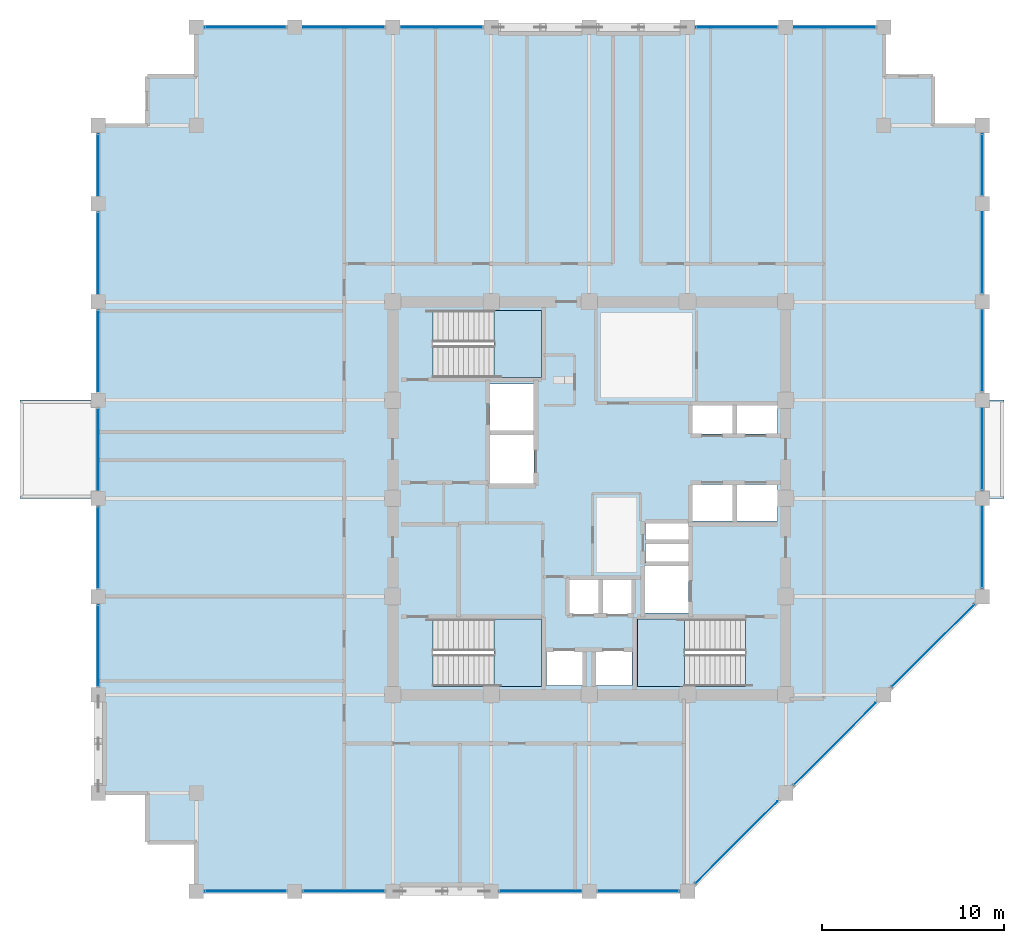
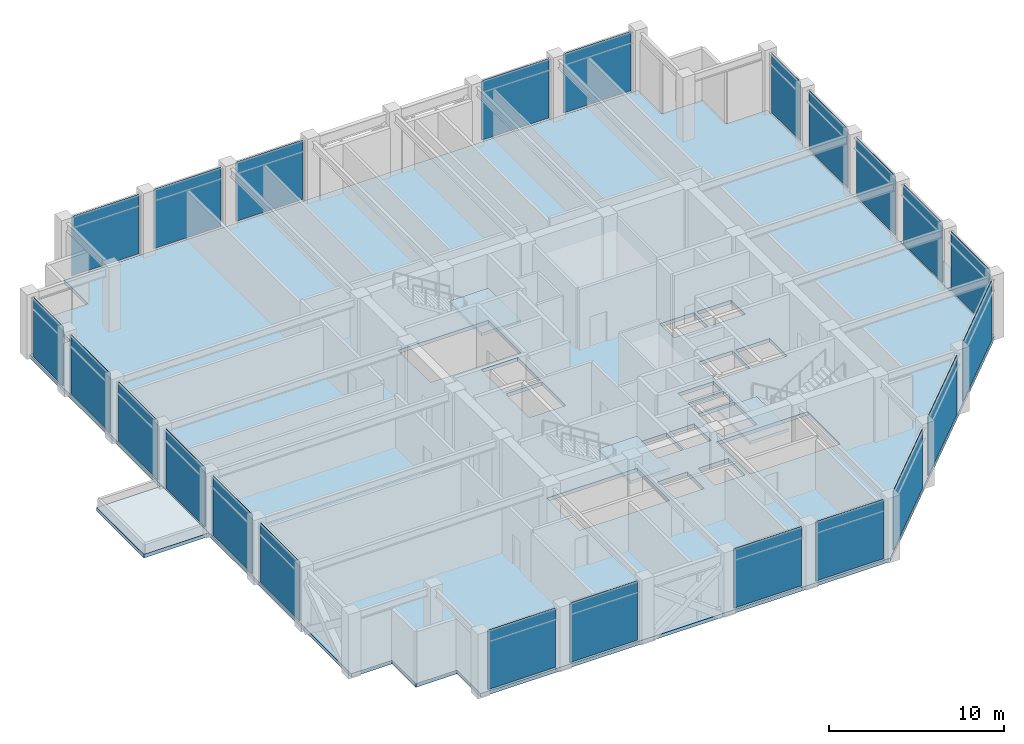
# One storey, part 22 of 28: 23 plates, 6 slabs, 10 elements without a shape of their own.
"""IFC4 building model written with IfcOpenShell, lengths in metres."""

import ifcopenshell
import ifcopenshell.guid

model = None  # the IFC model being written
_history = None  # IfcOwnerHistory: only IFC2X3 demands one
_inside = {}  # id of a spatial element -> (the spatial element, [elements in it])
_under = {}  # id of a project, library or spatial element -> (it, [spatial elements below it])
_declared = {}  # id of a project -> (the project, [libraries it declares])
_typed = {}  # id of a type object -> (the type object, [elements of that type])
_made_of = {}  # id of a material, layer set ... -> (it, [elements and type objects made of it])


def new_model(schema):
    """Start an empty IFC model of exactly this schema.

    Asked for "IFC4X3", IfcOpenShell would pick the latest addendum, in which some entities
    have other attributes; the version numbers below select the first issue.
    IFC2X3 requires an IfcOwnerHistory on every rooted entity: one is made here for all.
    """
    global model, _history
    if schema == "IFC4X3":
        model = ifcopenshell.file(schema_version=(4, 3, 0, 0))
    else:
        model = ifcopenshell.file(schema=schema)
    _inside.clear()
    _under.clear()
    _declared.clear()
    _typed.clear()
    _made_of.clear()
    _history = None
    if model.schema == "IFC2X3":
        org = make("IfcOrganization", Name="unknown")
        user = make(
            "IfcPersonAndOrganization",
            ThePerson=make("IfcPerson", FamilyName="unknown"),
            TheOrganization=org,
        )
        app = make(
            "IfcApplication",
            ApplicationDeveloper=org,
            Version="unknown",
            ApplicationFullName="unknown",
            ApplicationIdentifier="unknown",
        )
        _history = make(
            "IfcOwnerHistory",
            OwningUser=user,
            OwningApplication=app,
            ChangeAction="ADDED",
            CreationDate=0,
        )
    return model


def make(cls, **values):
    """One entity of the class cls with the attributes given. An attribute that is None is left unset."""
    return model.create_entity(
        cls, **{name: value for name, value in values.items() if value is not None}
    )


def rooted(cls, **values):
    """An entity with a GlobalId (a new one), such as an element, a storey or a relation."""
    return make(cls, GlobalId=ifcopenshell.guid.new(), OwnerHistory=_history, **values)


def si_unit(unit_type, name, prefix=None):
    """IfcSIUnit, for example si_unit("LENGTHUNIT", "METRE", prefix="MILLI")."""
    return make("IfcSIUnit", UnitType=unit_type, Prefix=prefix, Name=name)


def assignment(units):
    """IfcUnitAssignment: the units of a project."""
    return None if units is None else make("IfcUnitAssignment", Units=units)


def point(xyz):
    """IfcCartesianPoint."""
    return None if xyz is None else make("IfcCartesianPoint", Coordinates=xyz)


def direction(xyz):
    """IfcDirection."""
    return None if xyz is None else make("IfcDirection", DirectionRatios=xyz)


def frame(location, z_axis=None, x_axis=None):
    """IfcAxis2Placement3D, a coordinate frame: its origin and axes. An axis left out is left unset."""
    return make(
        "IfcAxis2Placement3D",
        Location=point(location),
        Axis=direction(z_axis),
        RefDirection=direction(x_axis),
    )


def frame_2d(location, x_axis=None):
    """IfcAxis2Placement2D, a coordinate frame in the plane: its origin and x axis."""
    return make(
        "IfcAxis2Placement2D", Location=point(location), RefDirection=direction(x_axis)
    )


def origin():
    """The frame at (0, 0, 0) with its axes left unset."""
    return frame((0.0, 0.0, 0.0))


def place(relative_to, where):
    """IfcLocalPlacement: puts the frame where relative to a parent placement (None: the world)."""
    return make(
        "IfcLocalPlacement", PlacementRelTo=relative_to, RelativePlacement=where
    )


def context(
    kind, dimensions, precision=None, world=None, true_north=None, identifier=None
):
    """IfcGeometricRepresentationContext, for example the 3D "Model" context."""
    return make(
        "IfcGeometricRepresentationContext",
        ContextIdentifier=identifier,
        ContextType=kind,
        CoordinateSpaceDimension=dimensions,
        Precision=precision,
        WorldCoordinateSystem=world,
        TrueNorth=true_north,
    )


def subcontext(parent, identifier, kind, view, scale=None):
    """IfcGeometricRepresentationSubContext, for example "Body" below "Model"."""
    return make(
        "IfcGeometricRepresentationSubContext",
        ContextIdentifier=identifier,
        ContextType=kind,
        ParentContext=parent,
        TargetScale=scale,
        TargetView=view,
    )


def project(units=None, contexts=None):
    """IfcProject with its units and contexts."""
    return rooted(
        "IfcProject",
        Name="project",
        RepresentationContexts=contexts,
        UnitsInContext=assignment(units),
    )


def spatial(cls, under=None, at=None, **own):
    """A site, building, storey or space (cls), placed at a placement, below another one or the project."""
    s = rooted(cls, ObjectPlacement=at, **own)
    if under is not None:
        _under.setdefault(under.id(), (under, []))[1].append(s)
    return s


def polyline(points):
    """IfcPolyline through the points."""
    return make("IfcPolyline", Points=[point(p) for p in points])


def profile(cls, at=None, kind="AREA", **sizes):
    """A parametric profile (cls). Its sizes go by their IFC names, for example OverallWidth=200.0."""
    return make(cls, ProfileType=kind, Position=at, **sizes)


def rectangle(**sizes):
    """IfcRectangleProfileDef."""
    return profile("IfcRectangleProfileDef", **sizes)


def outline(outer, holes=None, kind="AREA"):
    """IfcArbitraryClosedProfileDef: a profile drawn as a closed curve; with holes, ...WithVoids."""
    if holes is None:
        return make("IfcArbitraryClosedProfileDef", ProfileType=kind, OuterCurve=outer)
    return make(
        "IfcArbitraryProfileDefWithVoids",
        ProfileType=kind,
        OuterCurve=outer,
        InnerCurves=holes,
    )


def extrude(swept, where, along, depth):
    """IfcExtrudedAreaSolid: the profile swept, set in the frame where, extruded along a direction by depth."""
    return make(
        "IfcExtrudedAreaSolid",
        SweptArea=swept,
        Position=where,
        ExtrudedDirection=direction(along),
        Depth=depth,
    )


def shape(context_of_items, identifier, shape_type, items):
    """IfcShapeRepresentation: the items that make up one representation, for example the "Body"."""
    return make(
        "IfcShapeRepresentation",
        ContextOfItems=context_of_items,
        RepresentationIdentifier=identifier,
        RepresentationType=shape_type,
        Items=items,
    )


def material(Name=None, Category=None):
    """IfcMaterial."""
    return make("IfcMaterial", Name=Name, Category=Category)


def layer(
    of_material, thickness, ventilated=None, Name=None, Category=None, Priority=None
):
    """IfcMaterialLayer: one layer of a wall or slab, of a material (None: an air gap)."""
    return make(
        "IfcMaterialLayer",
        Material=of_material,
        LayerThickness=thickness,
        IsVentilated=ventilated,
        Name=Name,
        Category=Category,
        Priority=Priority,
    )


def layer_set(layers, Name=None):
    """IfcMaterialLayerSet."""
    return make("IfcMaterialLayerSet", MaterialLayers=layers, LayerSetName=Name)


def made_of(thing, what):
    """Note that an element or type object is made of a material, layer set ...; save() writes the relation."""
    if what is not None:
        _made_of.setdefault(what.id(), (what, []))[1].append(thing)
    return thing


def type_object(cls, material=None, **own):
    """A type object (cls), such as IfcWallType, which elements share."""
    return made_of(rooted(cls, **own), material)


def element(
    cls,
    number,
    at=None,
    inside=None,
    cuts=None,
    type_object=None,
    material=None,
    context=None,
    identifier="Body",
    shape_type=None,
    held_by="IfcProductDefinitionShape",
    body=None,
    shapes=None,
    **own,
):
    """One element of the class cls, such as IfcWall. Its Tag is "e" and its number.

    at: its placement. inside: the storey or other place that contains it. cuts: it is an
    opening in that element (IfcRelVoidsElement). A single representation is given by context,
    identifier, shape_type and body (its items); several are given by shapes. held_by: the class
    of the entity that holds the representations. save() writes the other relations.
    """
    e = rooted(cls, Tag="e%d" % number, ObjectPlacement=at, **own)
    if body is not None:
        shapes = [shape(context, identifier, shape_type, body)]
    if shapes is not None:
        e.Representation = make(held_by, Representations=shapes)
    if inside is not None:
        _inside.setdefault(inside.id(), (inside, []))[1].append(e)
    if cuts is not None:
        rooted(
            "IfcRelVoidsElement", RelatingBuildingElement=cuts, RelatedOpeningElement=e
        )
    if type_object is not None:
        _typed.setdefault(type_object.id(), (type_object, []))[1].append(e)
    return made_of(e, material)


def aggregate(whole, parts):
    """IfcRelAggregates: a whole, such as a stair, and the parts it consists of."""
    return rooted("IfcRelAggregates", RelatingObject=whole, RelatedObjects=parts)


def save(model, path):
    """Write the relations noted so far, then the file.

    IfcRelAggregates (storeys below a building ...), IfcRelContainedInSpatialStructure (elements
    in a storey), IfcRelDefinesByType, IfcRelAssociatesMaterial and IfcRelDeclares: one each for
    every whole, place, type object, material and project.
    """
    for whole, parts in _under.values():
        aggregate(whole, parts)
    for where, things in _inside.values():
        rooted(
            "IfcRelContainedInSpatialStructure",
            RelatedElements=things,
            RelatingStructure=where,
        )
    for kind, things in _typed.values():
        rooted("IfcRelDefinesByType", RelatedObjects=things, RelatingType=kind)
    for what, things in _made_of.values():
        rooted("IfcRelAssociatesMaterial", RelatedObjects=things, RelatingMaterial=what)
    for by, libraries in _declared.values():
        rooted("IfcRelDeclares", RelatingContext=by, RelatedDefinitions=libraries)
    model.write(path)


model = new_model("IFC4")

# Units and contexts
model_context = context("Model", 3, precision=1e-05, world=origin(), true_north=direction((0.0, 1.0)))
body_context = subcontext(model_context, "Body", "Model", "MODEL_VIEW")
ifc_project = project(units=[si_unit("LENGTHUNIT", "METRE"), si_unit("AREAUNIT", "SQUARE_METRE"), si_unit("VOLUMEUNIT", "CUBIC_METRE"), si_unit("PLANEANGLEUNIT", "RADIAN"), si_unit("MASSUNIT", "GRAM", prefix="KILO")], contexts=[model_context])

# Site, building, storey
site_placement = place(None, origin())
site = spatial("IfcSite", under=ifc_project, at=site_placement, CompositionType="ELEMENT")
building_placement = place(site_placement, origin())
building = spatial("IfcBuilding", under=site, at=building_placement, Name="Surkhivell Harbour Commons", CompositionType="ELEMENT")
storey_placement = place(building_placement, frame((0.0, 0.0, 249.75)))
storey = spatial("IfcBuildingStorey", under=building, at=storey_placement, Name="L65", CompositionType="ELEMENT", Elevation=249.75)

# Curtain wall, plates
ifc_material_1 = material(Name="Anodised pale-metal aluminium and insulated glazing", Category="aluminium")
ifc_layer_1 = layer(ifc_material_1, 0.18994140625)
ifc_layer_set_1 = layer_set([ifc_layer_1], Name="Anodised pale-metal aluminium and insulated glazing")
curtain_wall_type = type_object("IfcCurtainWallType", Name="CW-SYS-Z3", PredefinedType="NOTDEFINED", material=ifc_layer_set_1)
curtain_wall_1_placement = place(storey_placement, origin())
curtain_wall_1 = element("IfcCurtainWall", 1, at=curtain_wall_1_placement, inside=storey, type_object=curtain_wall_type, Name="L65 Curtain Wall CW-L65-E00S1", PredefinedType="NOTDEFINED")
ifc_material_2 = material(Name="High-pressure typhoon laminated vision glass", Category="glass")
ifc_layer_2 = layer(ifc_material_2, 0.035888671875)
ifc_layer_set_2 = layer_set([ifc_layer_2], Name="High-pressure typhoon laminated vision glass")
plate_type = type_object("IfcPlateType", Name="CWP-GLZ-36", PredefinedType="CURTAIN_PANEL", material=ifc_layer_set_2)
plate_1_placement = place(storey_placement, frame((-21.123046875, -21.60009765625, 0.1298828125), z_axis=(0.0, 0.0, 1.0), x_axis=(1.0, 0.0, 0.0)))
plate_1 = element("IfcPlate", 2, at=plate_1_placement, type_object=plate_type, Name="CW-Z3 panel 1.1", PredefinedType="CURTAIN_PANEL", context=body_context, shape_type="SweptSolid", body=[
    extrude(rectangle(XDim=4.446044921875, YDim=0.035888671875, at=frame_2d((2.22314453125, 0.0))), origin(), (0.0, 0.0, 1.0), 4.1201171875),
])
plate_2_placement = place(storey_placement, frame((-15.722900390625, -21.60009765625, 0.1298828125), z_axis=(0.0, 0.0, 1.0), x_axis=(1.0, 0.0, 0.0)))
plate_2 = element("IfcPlate", 3, at=plate_2_placement, type_object=plate_type, Name="CW-Z3 panel 2.1", PredefinedType="CURTAIN_PANEL", context=body_context, shape_type="SweptSolid", body=[
    extrude(rectangle(XDim=4.44580078125, YDim=0.035888671875, at=frame_2d((2.222900390625, 0.0))), origin(), (0.0, 0.0, 1.0), 4.1201171875),
])
aggregate(curtain_wall_1, [plate_1, plate_2])

curtain_wall_2_placement = place(storey_placement, origin())
curtain_wall_2 = element("IfcCurtainWall", 4, at=curtain_wall_2_placement, inside=storey, type_object=curtain_wall_type, Name="L65 Curtain Wall CW-L65-E00S2", PredefinedType="NOTDEFINED")
plate_3_placement = place(storey_placement, frame((-4.923095703125, -21.60009765625, 0.1298828125), z_axis=(0.0, 0.0, 1.0), x_axis=(1.0, 0.0, 0.0)))
plate_3 = element("IfcPlate", 5, at=plate_3_placement, type_object=plate_type, Name="CW-Z3 panel 1.1", PredefinedType="CURTAIN_PANEL", context=body_context, shape_type="SweptSolid", body=[
    extrude(rectangle(XDim=4.446044921875, YDim=0.035888671875, at=frame_2d((2.22314453125, 0.0))), origin(), (0.0, 0.0, 1.0), 4.1201171875),
])
plate_4_placement = place(storey_placement, frame((0.47705078125, -21.60009765625, 0.1298828125), z_axis=(0.0, 0.0, 1.0), x_axis=(1.0, 0.0, 0.0)))
plate_4 = element("IfcPlate", 6, at=plate_4_placement, type_object=plate_type, Name="CW-Z3 panel 2.1", PredefinedType="CURTAIN_PANEL", context=body_context, shape_type="SweptSolid", body=[
    extrude(rectangle(XDim=4.446044921875, YDim=0.035888671875, at=frame_2d((2.22314453125, 0.0))), origin(), (0.0, 0.0, 1.0), 4.1201171875),
])
aggregate(curtain_wall_2, [plate_3, plate_4])

curtain_wall_3_placement = place(storey_placement, origin())
curtain_wall_3 = element("IfcCurtainWall", 7, at=curtain_wall_3_placement, inside=storey, type_object=curtain_wall_type, Name="L65 Curtain Wall CW-L65-E01", PredefinedType="NOTDEFINED")
plate_5_placement = place(storey_placement, frame((5.854736328125, -21.145263671875, 0.1298828125), z_axis=(0.0, 0.0, 1.0), x_axis=(0.707106781187, 0.707106781187, 0.0)))
plate_5 = element("IfcPlate", 8, at=plate_5_placement, type_object=plate_type, Name="CW-Z3 panel 1.1", PredefinedType="CURTAIN_PANEL", context=body_context, shape_type="SweptSolid", body=[
    extrude(rectangle(XDim=6.3505859375, YDim=0.035888671875, at=frame_2d((3.17529296875, 0.0))), origin(), (0.0, 0.0, 1.0), 4.1201171875),
])
plate_6_placement = place(storey_placement, frame((11.254638671875, -15.745361328125, 0.1298828125), z_axis=(0.0, 0.0, 1.0), x_axis=(0.707106781187, 0.707106781187, 0.0)))
plate_6 = element("IfcPlate", 9, at=plate_6_placement, type_object=plate_type, Name="CW-Z3 panel 2.1", PredefinedType="CURTAIN_PANEL", context=body_context, shape_type="SweptSolid", body=[
    extrude(rectangle(XDim=6.350830078125, YDim=0.035888671875, at=frame_2d((3.17529296875, 0.0))), origin(), (0.0, 0.0, 1.0), 4.1201171875),
])
plate_7_placement = place(storey_placement, frame((16.65478515625, -10.34521484375, 0.1298828125), z_axis=(0.0, 0.0, 1.0), x_axis=(0.707106781187, 0.707106781187, 0.0)))
plate_7 = element("IfcPlate", 10, at=plate_7_placement, type_object=plate_type, Name="CW-Z3 panel 3.1", PredefinedType="CURTAIN_PANEL", context=body_context, shape_type="SweptSolid", body=[
    extrude(rectangle(XDim=6.3505859375, YDim=0.035888671875, at=frame_2d((3.17529296875, 0.0))), origin(), (0.0, 0.0, 1.0), 4.1201171875),
])
aggregate(curtain_wall_3, [plate_5, plate_6, plate_7])

curtain_wall_4_placement = place(storey_placement, origin())
curtain_wall_4 = element("IfcCurtainWall", 11, at=curtain_wall_4_placement, inside=storey, type_object=curtain_wall_type, Name="L65 Curtain Wall CW-L65-E02", PredefinedType="NOTDEFINED")
plate_8_placement = place(storey_placement, frame((21.60009765625, -4.923095703125, 0.1298828125), z_axis=(0.0, 0.0, 1.0), x_axis=(0.0, 1.0, 0.0)))
plate_8 = element("IfcPlate", 12, at=plate_8_placement, type_object=plate_type, Name="CW-Z3 panel 1.1", PredefinedType="CURTAIN_PANEL", context=body_context, shape_type="SweptSolid", body=[
    extrude(rectangle(XDim=4.446044921875, YDim=0.035888671875, at=frame_2d((2.22314453125, 0.0))), origin(), (0.0, 0.0, 1.0), 4.1201171875),
])
plate_9_placement = place(storey_placement, frame((21.60009765625, 0.47705078125, 0.1298828125), z_axis=(0.0, 0.0, 1.0), x_axis=(0.0, 1.0, 0.0)))
plate_9 = element("IfcPlate", 13, at=plate_9_placement, type_object=plate_type, Name="CW-Z3 panel 2.1", PredefinedType="CURTAIN_PANEL", context=body_context, shape_type="SweptSolid", body=[
    extrude(rectangle(XDim=4.446044921875, YDim=0.035888671875, at=frame_2d((2.22314453125, 0.0))), origin(), (0.0, 0.0, 1.0), 4.1201171875),
])
plate_10_placement = place(storey_placement, frame((21.60009765625, 5.876953125, 0.1298828125), z_axis=(0.0, 0.0, 1.0), x_axis=(0.0, 1.0, 0.0)))
plate_10 = element("IfcPlate", 14, at=plate_10_placement, type_object=plate_type, Name="CW-Z3 panel 3.1", PredefinedType="CURTAIN_PANEL", context=body_context, shape_type="SweptSolid", body=[
    extrude(rectangle(XDim=4.446044921875, YDim=0.035888671875, at=frame_2d((2.22314453125, 0.0))), origin(), (0.0, 0.0, 1.0), 4.1201171875),
])
plate_11_placement = place(storey_placement, frame((21.60009765625, 11.277099609375, 0.1298828125), z_axis=(0.0, 0.0, 1.0), x_axis=(0.0, 1.0, 0.0)))
plate_11 = element("IfcPlate", 15, at=plate_11_placement, type_object=plate_type, Name="CW-Z3 panel 4.1", PredefinedType="CURTAIN_PANEL", context=body_context, shape_type="SweptSolid", body=[
    extrude(rectangle(XDim=4.44580078125, YDim=0.035888671875, at=frame_2d((2.222900390625, 0.0))), origin(), (0.0, 0.0, 1.0), 4.1201171875),
])
plate_12_placement = place(storey_placement, frame((21.60009765625, 16.677001953125, 0.1298828125), z_axis=(0.0, 0.0, 1.0), x_axis=(0.0, 1.0, 0.0)))
plate_12 = element("IfcPlate", 16, at=plate_12_placement, type_object=plate_type, Name="CW-Z3 panel 5.1", PredefinedType="CURTAIN_PANEL", context=body_context, shape_type="SweptSolid", body=[
    extrude(rectangle(XDim=3.345947265625, YDim=0.035888671875, at=frame_2d((1.6728515625, 0.0))), origin(), (0.0, 0.0, 1.0), 4.1201171875),
])
aggregate(curtain_wall_4, [plate_8, plate_9, plate_10, plate_11, plate_12])

curtain_wall_5_placement = place(storey_placement, origin())
curtain_wall_5 = element("IfcCurtainWall", 17, at=curtain_wall_5_placement, inside=storey, type_object=curtain_wall_type, Name="L65 Curtain Wall CW-L65-E07S1", PredefinedType="NOTDEFINED")
plate_13_placement = place(storey_placement, frame((15.722900390625, 25.89990234375, 0.1298828125), z_axis=(0.0, 0.0, 1.0), x_axis=(-1.0, 0.0, 0.0)))
plate_13 = element("IfcPlate", 18, at=plate_13_placement, type_object=plate_type, Name="CW-Z3 panel 1.1", PredefinedType="CURTAIN_PANEL", context=body_context, shape_type="SweptSolid", body=[
    extrude(rectangle(XDim=4.44580078125, YDim=0.035888671875, at=frame_2d((2.222900390625, 0.0))), origin(), (0.0, 0.0, 1.0), 4.1201171875),
])
plate_14_placement = place(storey_placement, frame((10.322998046875, 25.89990234375, 0.1298828125), z_axis=(0.0, 0.0, 1.0), x_axis=(-1.0, 0.0, 0.0)))
plate_14 = element("IfcPlate", 19, at=plate_14_placement, type_object=plate_type, Name="CW-Z3 panel 2.1", PredefinedType="CURTAIN_PANEL", context=body_context, shape_type="SweptSolid", body=[
    extrude(rectangle(XDim=4.446044921875, YDim=0.035888671875, at=frame_2d((2.22314453125, 0.0))), origin(), (0.0, 0.0, 1.0), 4.1201171875),
])
aggregate(curtain_wall_5, [plate_13, plate_14])

curtain_wall_6_placement = place(storey_placement, origin())
curtain_wall_6 = element("IfcCurtainWall", 20, at=curtain_wall_6_placement, inside=storey, type_object=curtain_wall_type, Name="L65 Curtain Wall CW-L65-E07S2", PredefinedType="NOTDEFINED")
plate_15_placement = place(storey_placement, frame((-5.876953125, 25.89990234375, 0.1298828125), z_axis=(0.0, 0.0, 1.0), x_axis=(-1.0, 0.0, 0.0)))
plate_15 = element("IfcPlate", 21, at=plate_15_placement, type_object=plate_type, Name="CW-Z3 panel 1.1", PredefinedType="CURTAIN_PANEL", context=body_context, shape_type="SweptSolid", body=[
    extrude(rectangle(XDim=4.446044921875, YDim=0.035888671875, at=frame_2d((2.22314453125, 0.0))), origin(), (0.0, 0.0, 1.0), 4.1201171875),
])
plate_16_placement = place(storey_placement, frame((-11.277099609375, 25.89990234375, 0.1298828125), z_axis=(0.0, 0.0, 1.0), x_axis=(-1.0, 0.0, 0.0)))
plate_16 = element("IfcPlate", 22, at=plate_16_placement, type_object=plate_type, Name="CW-Z3 panel 2.1", PredefinedType="CURTAIN_PANEL", context=body_context, shape_type="SweptSolid", body=[
    extrude(rectangle(XDim=4.44580078125, YDim=0.035888671875, at=frame_2d((2.222900390625, 0.0))), origin(), (0.0, 0.0, 1.0), 4.1201171875),
])
plate_17_placement = place(storey_placement, frame((-16.677001953125, 25.89990234375, 0.1298828125), z_axis=(0.0, 0.0, 1.0), x_axis=(-1.0, 0.0, 0.0)))
plate_17 = element("IfcPlate", 23, at=plate_17_placement, type_object=plate_type, Name="CW-Z3 panel 3.1", PredefinedType="CURTAIN_PANEL", context=body_context, shape_type="SweptSolid", body=[
    extrude(rectangle(XDim=4.446044921875, YDim=0.035888671875, at=frame_2d((2.22314453125, 0.0))), origin(), (0.0, 0.0, 1.0), 4.1201171875),
])
aggregate(curtain_wall_6, [plate_15, plate_16, plate_17])

curtain_wall_7_placement = place(storey_placement, origin())
curtain_wall_7 = element("IfcCurtainWall", 24, at=curtain_wall_7_placement, inside=storey, type_object=curtain_wall_type, Name="L65 Curtain Wall CW-L65-E12S1", PredefinedType="NOTDEFINED")
plate_18_placement = place(storey_placement, frame((-27.0, 20.02294921875, 0.1298828125), z_axis=(0.0, 0.0, 1.0), x_axis=(0.0, -1.0, 0.0)))
plate_18 = element("IfcPlate", 25, at=plate_18_placement, type_object=plate_type, Name="CW-Z3 panel 1.1", PredefinedType="CURTAIN_PANEL", context=body_context, shape_type="SweptSolid", body=[
    extrude(rectangle(XDim=3.345947265625, YDim=0.035888671875, at=frame_2d((1.6728515625, 0.0))), origin(), (0.0, 0.0, 1.0), 4.1201171875),
])
plate_19_placement = place(storey_placement, frame((-27.0, 15.722900390625, 0.1298828125), z_axis=(0.0, 0.0, 1.0), x_axis=(0.0, -1.0, 0.0)))
plate_19 = element("IfcPlate", 26, at=plate_19_placement, type_object=plate_type, Name="CW-Z3 panel 2.1", PredefinedType="CURTAIN_PANEL", context=body_context, shape_type="SweptSolid", body=[
    extrude(rectangle(XDim=4.44580078125, YDim=0.035888671875, at=frame_2d((2.222900390625, 0.0))), origin(), (0.0, 0.0, 1.0), 4.1201171875),
])
plate_20_placement = place(storey_placement, frame((-27.0, 10.322998046875, 0.1298828125), z_axis=(0.0, 0.0, 1.0), x_axis=(0.0, -1.0, 0.0)))
plate_20 = element("IfcPlate", 27, at=plate_20_placement, type_object=plate_type, Name="CW-Z3 panel 3.1", PredefinedType="CURTAIN_PANEL", context=body_context, shape_type="SweptSolid", body=[
    extrude(rectangle(XDim=4.446044921875, YDim=0.035888671875, at=frame_2d((2.22314453125, 0.0))), origin(), (0.0, 0.0, 1.0), 4.1201171875),
])
plate_21_placement = place(storey_placement, frame((-27.0, 4.923095703125, 0.1298828125), z_axis=(0.0, 0.0, 1.0), x_axis=(0.0, -1.0, 0.0)))
plate_21 = element("IfcPlate", 28, at=plate_21_placement, type_object=plate_type, Name="CW-Z3 panel 4.1", PredefinedType="CURTAIN_PANEL", context=body_context, shape_type="SweptSolid", body=[
    extrude(rectangle(XDim=4.446044921875, YDim=0.035888671875, at=frame_2d((2.22314453125, 0.0))), origin(), (0.0, 0.0, 1.0), 4.1201171875),
])
plate_22_placement = place(storey_placement, frame((-27.0, -0.47705078125, 0.1298828125), z_axis=(0.0, 0.0, 1.0), x_axis=(0.0, -1.0, 0.0)))
plate_22 = element("IfcPlate", 29, at=plate_22_placement, type_object=plate_type, Name="CW-Z3 panel 5.1", PredefinedType="CURTAIN_PANEL", context=body_context, shape_type="SweptSolid", body=[
    extrude(rectangle(XDim=4.446044921875, YDim=0.035888671875, at=frame_2d((2.22314453125, 0.0))), origin(), (0.0, 0.0, 1.0), 4.1201171875),
])
plate_23_placement = place(storey_placement, frame((-27.0, -5.876953125, 0.1298828125), z_axis=(0.0, 0.0, 1.0), x_axis=(0.0, -1.0, 0.0)))
plate_23 = element("IfcPlate", 30, at=plate_23_placement, type_object=plate_type, Name="CW-Z3 panel 6.1", PredefinedType="CURTAIN_PANEL", context=body_context, shape_type="SweptSolid", body=[
    extrude(rectangle(XDim=4.446044921875, YDim=0.035888671875, at=frame_2d((2.22314453125, 0.0))), origin(), (0.0, 0.0, 1.0), 4.1201171875),
])
aggregate(curtain_wall_7, [plate_18, plate_19, plate_20, plate_21, plate_22, plate_23])

# Slabs
ifc_material_3 = material(Name="Concrete C50/60", Category="concrete")
ifc_layer_3 = layer(ifc_material_3, 0.25)
ifc_layer_set_3 = layer_set([ifc_layer_3], Name="Concrete C50/60")
slab_type_1 = type_object("IfcSlabType", Name="SLB-BOXRF-250", PredefinedType="ROOF", material=ifc_layer_set_3)
slab_1_placement = place(storey_placement, frame((0.0, 0.0, -0.25)))
element("IfcSlab", 31, at=slab_1_placement, inside=storey, type_object=slab_type_1, Name="L65 Closed Box-Cluster Roof Slab 1", PredefinedType="ROOF", context=body_context, shape_type="SweptSolid", body=[
    extrude(outline(polyline([(22.800048828125, 5.39990234375), (21.6201171875, 5.39990234375), (21.6201171875, 0.0), (22.800048828125, 0.0), (22.800048828125, 5.39990234375)])), origin(), (0.0, 0.0, 1.0), 0.25),
])
slab_2_placement = place(storey_placement, frame((0.0, 0.0, -0.25)))
element("IfcSlab", 32, at=slab_2_placement, inside=storey, type_object=slab_type_1, Name="L65 Closed Box-Cluster Roof Slab 2", PredefinedType="ROOF", context=body_context, shape_type="SweptSolid", body=[
    extrude(outline(polyline([(-31.300048828125, 0.0), (-27.02001953125, 0.0), (-27.02001953125, 5.39990234375), (-31.300048828125, 5.39990234375), (-31.300048828125, 0.0)])), origin(), (0.0, 0.0, 1.0), 0.25),
])
ifc_layer_4 = layer(ifc_material_3, 0.25)
ifc_layer_set_4 = layer_set([ifc_layer_4], Name="Concrete C50/60")
slab_type_2 = type_object("IfcSlabType", Name="SLB-POD-250", PredefinedType="FLOOR", material=ifc_layer_set_4)
slab_3_placement = place(storey_placement, frame((0.0, 0.0, -0.25)))
element("IfcSlab", 33, at=slab_3_placement, inside=storey, type_object=slab_type_2, Name="L65 Structural Floor Slab", PredefinedType="FLOOR", context=body_context, shape_type="SweptSolid", body=[
    extrude(outline(polyline([(-21.60009765625, -21.60009765625), (5.39990234375, -21.60009765625), (21.60009765625, -5.39990234375), (21.60009765625, 20.5), (18.89990234375, 20.5), (18.89990234375, 23.199951171875), (16.199951171875, 23.199951171875), (16.199951171875, 25.89990234375), (-21.60009765625, 25.89990234375), (-21.60009765625, 23.199951171875), (-24.300048828125, 23.199951171875), (-24.300048828125, 20.5), (-27.0, 20.5), (-27.0, -16.199951171875), (-24.300048828125, -16.199951171875), (-24.300048828125, -18.89990234375), (-21.60009765625, -18.89990234375), (-21.60009765625, -21.60009765625)]), holes=[polyline([(-8.590087890625, 6.639892578125), (-2.639892578125, 6.639892578125), (-2.639892578125, 10.340087890625), (-8.590087890625, 10.340087890625), (-8.590087890625, 6.639892578125)]), polyline([(8.590087890625, -6.639892578125), (2.639892578125, -6.639892578125), (2.639892578125, -10.340087890625), (8.590087890625, -10.340087890625), (8.590087890625, -6.639892578125)]), polyline([(-8.590087890625, -10.340087890625), (-2.639892578125, -10.340087890625), (-2.639892578125, -6.639892578125), (-8.590087890625, -6.639892578125), (-8.590087890625, -10.340087890625)]), polyline([(5.64990234375, 3.550048828125), (7.89990234375, 3.550048828125), (7.89990234375, 5.14990234375), (5.64990234375, 5.14990234375), (5.64990234375, 3.550048828125)]), polyline([(8.10009765625, 3.550048828125), (10.35009765625, 3.550048828125), (10.35009765625, 5.14990234375), (8.10009765625, 5.14990234375), (8.10009765625, 3.550048828125)]), polyline([(5.64990234375, -1.25), (7.89990234375, -1.25), (7.89990234375, 0.75), (5.64990234375, 0.75), (5.64990234375, -1.25)]), polyline([(8.10009765625, -1.25), (10.35009765625, -1.25), (10.35009765625, 0.75), (8.10009765625, 0.75), (8.10009765625, -1.25)]), polyline([(-1.14990234375, -6.35009765625), (0.550048828125, -6.35009765625), (0.550048828125, -4.449951171875), (-1.14990234375, -4.449951171875), (-1.14990234375, -6.35009765625)]), polyline([(0.679931640625, -6.35009765625), (2.3798828125, -6.35009765625), (2.3798828125, -4.449951171875), (0.679931640625, -4.449951171875), (0.679931640625, -6.35009765625)]), polyline([(-2.35009765625, -10.300048828125), (-0.35009765625, -10.300048828125), (-0.35009765625, -8.39990234375), (-2.35009765625, -8.39990234375), (-2.35009765625, -10.300048828125)]), polyline([(0.35009765625, -10.300048828125), (2.35009765625, -10.300048828125), (2.35009765625, -8.39990234375), (0.35009765625, -8.39990234375), (0.35009765625, -10.300048828125)]), polyline([(-5.449951171875, 3.699951171875), (-3.050048828125, 3.699951171875), (-3.050048828125, 6.300048828125), (-5.449951171875, 6.300048828125), (-5.449951171875, 3.699951171875)]), polyline([(3.050048828125, -6.300048828125), (5.449951171875, -6.300048828125), (5.449951171875, -3.699951171875), (3.050048828125, -3.699951171875), (3.050048828125, -6.300048828125)]), polyline([(-5.449951171875, 0.800048828125), (-3.050048828125, 0.800048828125), (-3.050048828125, 3.5), (-5.449951171875, 3.5), (-5.449951171875, 0.800048828125)]), polyline([(3.10009765625, -3.550048828125), (5.449951171875, -3.550048828125), (5.449951171875, -2.47998046875), (3.10009765625, -2.47998046875), (3.10009765625, -3.550048828125)]), polyline([(3.10009765625, -2.280029296875), (5.449951171875, -2.280029296875), (5.449951171875, -1.35009765625), (3.10009765625, -1.35009765625), (3.10009765625, -2.280029296875)])]), origin(), (0.0, 0.0, 1.0), 0.25),
])

# Stair, slab
ifc_material_4 = material(Name="Precast concrete C45/55", Category="concrete")
stair_type = type_object("IfcStairType", Name="STR-DL-450", PredefinedType="HALF_TURN_STAIR", material=ifc_material_4)
stair_1_placement = place(storey_placement, origin())
stair_1 = element("IfcStair", 34, at=stair_1_placement, inside=storey, type_object=stair_type, Name="L65 Core Exit Stair ST1", PredefinedType="HALF_TURN_STAIR")
ifc_material_5 = material(Name="Reinforced concrete C45/55", Category="concrete")
ifc_layer_5 = layer(ifc_material_5, 0.199951171875)
ifc_layer_set_5 = layer_set([ifc_layer_5], Name="Reinforced concrete C45/55")
slab_type_3 = type_object("IfcSlabType", Name="SLB-ST-LND200", PredefinedType="LANDING", material=ifc_layer_set_5)
slab_4_placement = place(storey_placement, frame((0.0, 0.0, 2.050048828125)))
slab_4 = element("IfcSlab", 35, at=slab_4_placement, type_object=slab_type_3, Name="ST1 landing 1", PredefinedType="LANDING", context=body_context, shape_type="SweptSolid", body=[
    extrude(outline(polyline([(-5.22998046875, 6.639892578125), (-2.639892578125, 6.639892578125), (-2.639892578125, 10.340087890625), (-5.22998046875, 10.340087890625), (-5.22998046875, 6.639892578125)])), origin(), (0.0, 0.0, 1.0), 0.199951171875),
])
aggregate(stair_1, [slab_4])

stair_2_placement = place(storey_placement, origin())
stair_2 = element("IfcStair", 36, at=stair_2_placement, inside=storey, type_object=stair_type, Name="L65 Core Exit Stair ST2", PredefinedType="HALF_TURN_STAIR")
slab_5_placement = place(storey_placement, frame((0.0, 0.0, 2.050048828125)))
slab_5 = element("IfcSlab", 37, at=slab_5_placement, type_object=slab_type_3, Name="ST2 landing 1", PredefinedType="LANDING", context=body_context, shape_type="SweptSolid", body=[
    extrude(outline(polyline([(5.22998046875, -6.639892578125), (2.639892578125, -6.639892578125), (2.639892578125, -10.340087890625), (5.22998046875, -10.340087890625), (5.22998046875, -6.639892578125)])), origin(), (0.0, 0.0, 1.0), 0.199951171875),
])
aggregate(stair_2, [slab_5])

stair_3_placement = place(storey_placement, origin())
stair_3 = element("IfcStair", 38, at=stair_3_placement, inside=storey, type_object=stair_type, Name="L65 Core Exit Stair ST3", PredefinedType="HALF_TURN_STAIR")
slab_6_placement = place(storey_placement, frame((0.0, 0.0, 2.050048828125)))
slab_6 = element("IfcSlab", 39, at=slab_6_placement, type_object=slab_type_3, Name="ST3 landing 1", PredefinedType="LANDING", context=body_context, shape_type="SweptSolid", body=[
    extrude(outline(polyline([(-5.22998046875, -10.340087890625), (-2.639892578125, -10.340087890625), (-2.639892578125, -6.639892578125), (-5.22998046875, -6.639892578125), (-5.22998046875, -10.340087890625)])), origin(), (0.0, 0.0, 1.0), 0.199951171875),
])
aggregate(stair_3, [slab_6])

save(model, "model.ifc")
